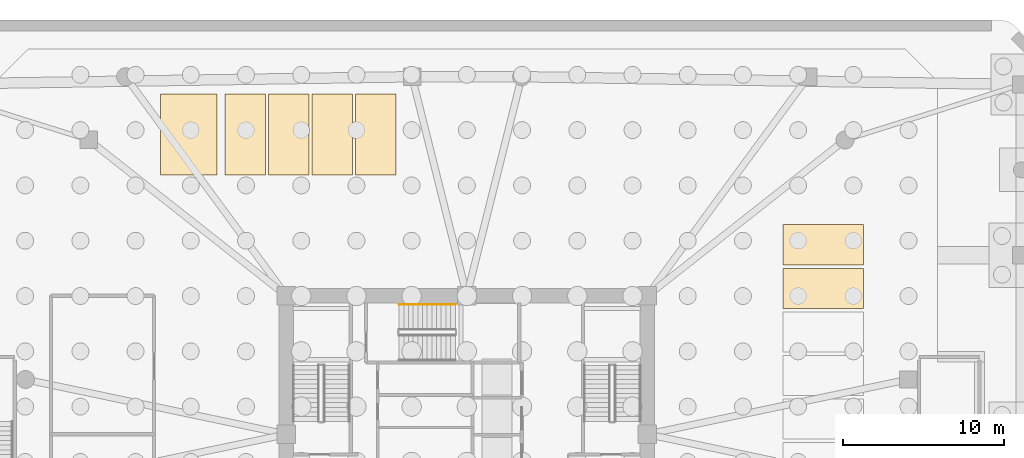
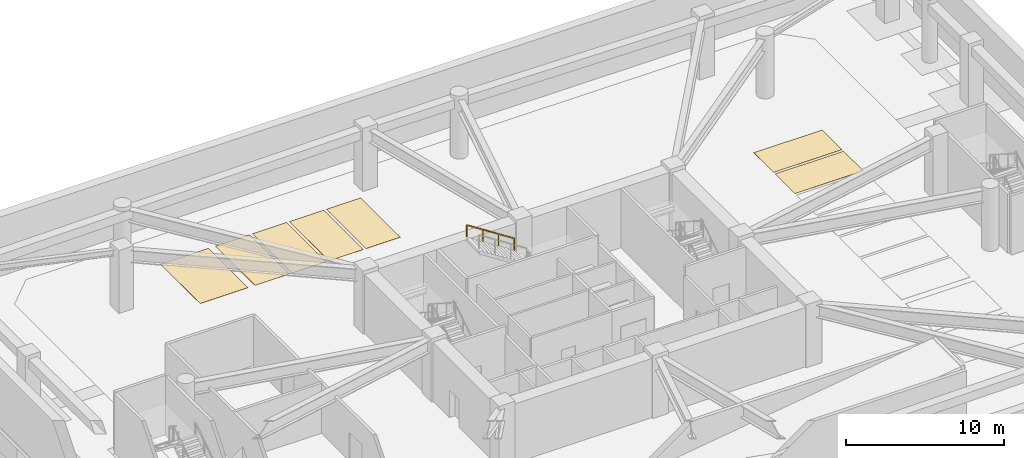
# One storey, part 9 of 11: 7 coverings, 1 railing.
"""IFC4 building model written with IfcOpenShell, lengths in metres."""

import ifcopenshell
import ifcopenshell.guid

model = None  # the IFC model being written
_history = None  # IfcOwnerHistory: only IFC2X3 demands one
_inside = {}  # id of a spatial element -> (the spatial element, [elements in it])
_under = {}  # id of a project, library or spatial element -> (it, [spatial elements below it])
_declared = {}  # id of a project -> (the project, [libraries it declares])
_typed = {}  # id of a type object -> (the type object, [elements of that type])
_made_of = {}  # id of a material, layer set ... -> (it, [elements and type objects made of it])


def new_model(schema):
    """Start an empty IFC model of exactly this schema.

    Asked for "IFC4X3", IfcOpenShell would pick the latest addendum, in which some entities
    have other attributes; the version numbers below select the first issue.
    IFC2X3 requires an IfcOwnerHistory on every rooted entity: one is made here for all.
    """
    global model, _history
    if schema == "IFC4X3":
        model = ifcopenshell.file(schema_version=(4, 3, 0, 0))
    else:
        model = ifcopenshell.file(schema=schema)
    _inside.clear()
    _under.clear()
    _declared.clear()
    _typed.clear()
    _made_of.clear()
    _history = None
    if model.schema == "IFC2X3":
        org = make("IfcOrganization", Name="unknown")
        user = make(
            "IfcPersonAndOrganization",
            ThePerson=make("IfcPerson", FamilyName="unknown"),
            TheOrganization=org,
        )
        app = make(
            "IfcApplication",
            ApplicationDeveloper=org,
            Version="unknown",
            ApplicationFullName="unknown",
            ApplicationIdentifier="unknown",
        )
        _history = make(
            "IfcOwnerHistory",
            OwningUser=user,
            OwningApplication=app,
            ChangeAction="ADDED",
            CreationDate=0,
        )
    return model


def make(cls, **values):
    """One entity of the class cls with the attributes given. An attribute that is None is left unset."""
    return model.create_entity(
        cls, **{name: value for name, value in values.items() if value is not None}
    )


def rooted(cls, **values):
    """An entity with a GlobalId (a new one), such as an element, a storey or a relation."""
    return make(cls, GlobalId=ifcopenshell.guid.new(), OwnerHistory=_history, **values)


def si_unit(unit_type, name, prefix=None):
    """IfcSIUnit, for example si_unit("LENGTHUNIT", "METRE", prefix="MILLI")."""
    return make("IfcSIUnit", UnitType=unit_type, Prefix=prefix, Name=name)


def derived_unit(unit_type, elements):
    """IfcDerivedUnit: a product of units, each with its exponent."""
    return make(
        "IfcDerivedUnit",
        Elements=[
            make("IfcDerivedUnitElement", Unit=unit, Exponent=power)
            for unit, power in elements
        ],
        UnitType=unit_type,
    )


def assignment(units):
    """IfcUnitAssignment: the units of a project."""
    return None if units is None else make("IfcUnitAssignment", Units=units)


def point(xyz):
    """IfcCartesianPoint."""
    return None if xyz is None else make("IfcCartesianPoint", Coordinates=xyz)


def direction(xyz):
    """IfcDirection."""
    return None if xyz is None else make("IfcDirection", DirectionRatios=xyz)


def frame(location, z_axis=None, x_axis=None):
    """IfcAxis2Placement3D, a coordinate frame: its origin and axes. An axis left out is left unset."""
    return make(
        "IfcAxis2Placement3D",
        Location=point(location),
        Axis=direction(z_axis),
        RefDirection=direction(x_axis),
    )


def frame_2d(location, x_axis=None):
    """IfcAxis2Placement2D, a coordinate frame in the plane: its origin and x axis."""
    return make(
        "IfcAxis2Placement2D", Location=point(location), RefDirection=direction(x_axis)
    )


def origin():
    """The frame at (0, 0, 0) with its axes left unset."""
    return frame((0.0, 0.0, 0.0))


def origin_2d():
    """The frame at (0, 0) in the plane with its x axis left unset."""
    return frame_2d((0.0, 0.0))


def place(relative_to, where):
    """IfcLocalPlacement: puts the frame where relative to a parent placement (None: the world)."""
    return make(
        "IfcLocalPlacement", PlacementRelTo=relative_to, RelativePlacement=where
    )


def context(
    kind, dimensions, precision=None, world=None, true_north=None, identifier=None
):
    """IfcGeometricRepresentationContext, for example the 3D "Model" context."""
    return make(
        "IfcGeometricRepresentationContext",
        ContextIdentifier=identifier,
        ContextType=kind,
        CoordinateSpaceDimension=dimensions,
        Precision=precision,
        WorldCoordinateSystem=world,
        TrueNorth=true_north,
    )


def subcontext(parent, identifier, kind, view, scale=None):
    """IfcGeometricRepresentationSubContext, for example "Body" below "Model"."""
    return make(
        "IfcGeometricRepresentationSubContext",
        ContextIdentifier=identifier,
        ContextType=kind,
        ParentContext=parent,
        TargetScale=scale,
        TargetView=view,
    )


def project(units=None, contexts=None):
    """IfcProject with its units and contexts."""
    return rooted(
        "IfcProject",
        Name="project",
        RepresentationContexts=contexts,
        UnitsInContext=assignment(units),
    )


def spatial(cls, under=None, at=None, **own):
    """A site, building, storey or space (cls), placed at a placement, below another one or the project."""
    s = rooted(cls, ObjectPlacement=at, **own)
    if under is not None:
        _under.setdefault(under.id(), (under, []))[1].append(s)
    return s


def polyline(points):
    """IfcPolyline through the points."""
    return make("IfcPolyline", Points=[point(p) for p in points])


def profile(cls, at=None, kind="AREA", **sizes):
    """A parametric profile (cls). Its sizes go by their IFC names, for example OverallWidth=200.0."""
    return make(cls, ProfileType=kind, Position=at, **sizes)


def rectangle(**sizes):
    """IfcRectangleProfileDef."""
    return profile("IfcRectangleProfileDef", **sizes)


def outline(outer, holes=None, kind="AREA"):
    """IfcArbitraryClosedProfileDef: a profile drawn as a closed curve; with holes, ...WithVoids."""
    if holes is None:
        return make("IfcArbitraryClosedProfileDef", ProfileType=kind, OuterCurve=outer)
    return make(
        "IfcArbitraryProfileDefWithVoids",
        ProfileType=kind,
        OuterCurve=outer,
        InnerCurves=holes,
    )


def extrude(swept, where, along, depth):
    """IfcExtrudedAreaSolid: the profile swept, set in the frame where, extruded along a direction by depth."""
    return make(
        "IfcExtrudedAreaSolid",
        SweptArea=swept,
        Position=where,
        ExtrudedDirection=direction(along),
        Depth=depth,
    )


def shape(context_of_items, identifier, shape_type, items):
    """IfcShapeRepresentation: the items that make up one representation, for example the "Body"."""
    return make(
        "IfcShapeRepresentation",
        ContextOfItems=context_of_items,
        RepresentationIdentifier=identifier,
        RepresentationType=shape_type,
        Items=items,
    )


def material(Name=None, Category=None):
    """IfcMaterial."""
    return make("IfcMaterial", Name=Name, Category=Category)


def layer(
    of_material, thickness, ventilated=None, Name=None, Category=None, Priority=None
):
    """IfcMaterialLayer: one layer of a wall or slab, of a material (None: an air gap)."""
    return make(
        "IfcMaterialLayer",
        Material=of_material,
        LayerThickness=thickness,
        IsVentilated=ventilated,
        Name=Name,
        Category=Category,
        Priority=Priority,
    )


def layer_set(layers, Name=None):
    """IfcMaterialLayerSet."""
    return make("IfcMaterialLayerSet", MaterialLayers=layers, LayerSetName=Name)


def made_of(thing, what):
    """Note that an element or type object is made of a material, layer set ...; save() writes the relation."""
    if what is not None:
        _made_of.setdefault(what.id(), (what, []))[1].append(thing)
    return thing


def type_object(cls, material=None, **own):
    """A type object (cls), such as IfcWallType, which elements share."""
    return made_of(rooted(cls, **own), material)


def element(
    cls,
    number,
    at=None,
    inside=None,
    cuts=None,
    type_object=None,
    material=None,
    context=None,
    identifier="Body",
    shape_type=None,
    held_by="IfcProductDefinitionShape",
    body=None,
    shapes=None,
    **own,
):
    """One element of the class cls, such as IfcWall. Its Tag is "e" and its number.

    at: its placement. inside: the storey or other place that contains it. cuts: it is an
    opening in that element (IfcRelVoidsElement). A single representation is given by context,
    identifier, shape_type and body (its items); several are given by shapes. held_by: the class
    of the entity that holds the representations. save() writes the other relations.
    """
    e = rooted(cls, Tag="e%d" % number, ObjectPlacement=at, **own)
    if body is not None:
        shapes = [shape(context, identifier, shape_type, body)]
    if shapes is not None:
        e.Representation = make(held_by, Representations=shapes)
    if inside is not None:
        _inside.setdefault(inside.id(), (inside, []))[1].append(e)
    if cuts is not None:
        rooted(
            "IfcRelVoidsElement", RelatingBuildingElement=cuts, RelatedOpeningElement=e
        )
    if type_object is not None:
        _typed.setdefault(type_object.id(), (type_object, []))[1].append(e)
    return made_of(e, material)


def aggregate(whole, parts):
    """IfcRelAggregates: a whole, such as a stair, and the parts it consists of."""
    return rooted("IfcRelAggregates", RelatingObject=whole, RelatedObjects=parts)


def save(model, path):
    """Write the relations noted so far, then the file.

    IfcRelAggregates (storeys below a building ...), IfcRelContainedInSpatialStructure (elements
    in a storey), IfcRelDefinesByType, IfcRelAssociatesMaterial and IfcRelDeclares: one each for
    every whole, place, type object, material and project.
    """
    for whole, parts in _under.values():
        aggregate(whole, parts)
    for where, things in _inside.values():
        rooted(
            "IfcRelContainedInSpatialStructure",
            RelatedElements=things,
            RelatingStructure=where,
        )
    for kind, things in _typed.values():
        rooted("IfcRelDefinesByType", RelatedObjects=things, RelatingType=kind)
    for what, things in _made_of.values():
        rooted("IfcRelAssociatesMaterial", RelatedObjects=things, RelatingMaterial=what)
    for by, libraries in _declared.values():
        rooted("IfcRelDeclares", RelatingContext=by, RelatedDefinitions=libraries)
    model.write(path)


model = new_model("IFC4")

# Units and contexts
model_context = context("Model", 3, precision=1e-05, world=origin(), true_north=direction((0.0, 1.0)))
body_context = subcontext(model_context, "Body", "Model", "MODEL_VIEW")
ifc_project = project(units=[si_unit("LENGTHUNIT", "METRE"), si_unit("AREAUNIT", "SQUARE_METRE"), si_unit("VOLUMEUNIT", "CUBIC_METRE"), si_unit("PLANEANGLEUNIT", "RADIAN"), si_unit("MASSUNIT", "GRAM", prefix="KILO"), derived_unit("THERMALTRANSMITTANCEUNIT", [(si_unit("POWERUNIT", "WATT"), 1), (si_unit("LENGTHUNIT", "METRE"), -2), (si_unit("THERMODYNAMICTEMPERATUREUNIT", "KELVIN"), -1)])], contexts=[model_context])

# Site, building, storey
site_placement = place(None, origin())
site = spatial("IfcSite", under=ifc_project, at=site_placement, CompositionType="ELEMENT")
building_placement = place(site_placement, origin())
building = spatial("IfcBuilding", under=site, at=building_placement, Name="Koralith Skygarden Medical Center", CompositionType="ELEMENT")
storey_placement = place(building_placement, frame((0.0, 0.0, -9.719970703125)))
storey = spatial("IfcBuildingStorey", under=building, at=storey_placement, Name="B2", CompositionType="ELEMENT", Elevation=-9.719970703125)

# Covering
ifc_material_1 = material(Name="Medical Terrazzo Flooring")
ifc_layer_1 = layer(ifc_material_1, 0.008056640625)
ifc_layer_set_1 = layer_set([ifc_layer_1], Name="Medical Terrazzo Flooring")
covering_type_1 = type_object("IfcCoveringType", Name="Accessible Van Parking Bay Marking 3500x5000", PredefinedType="FLOORING", material=ifc_layer_set_1)
covering_1_placement = place(storey_placement, origin())
element("IfcCovering", 1, at=covering_1_placement, inside=storey, type_object=covering_type_1, Name="B2 Accessible Parking Bay A-03", PredefinedType="FLOORING", context=body_context, shape_type="SweptSolid", body=[
    extrude(outline(polyline([(18.0, 42.0), (21.5, 42.0), (21.5, 47.0), (18.0, 47.0), (18.0, 42.0)])), origin(), (0.0, 0.0, 1.0), 0.008056640625),
])

# Railing
ifc_material_2 = material(Name="Steel ASTM A500 Grade C", Category="steel")
railing_type = type_object("IfcRailingType", Name="Stair Flight Tubular Handrail 920", PredefinedType="HANDRAIL", material=ifc_material_2)
railing_placement = place(storey_placement, frame((36.280029296875, 33.949951171875, 2.616943359375)))
element("IfcRailing", 2, at=railing_placement, inside=storey, type_object=railing_type, Name="B2 ST3 stair handrail 2", PredefinedType="HANDRAIL", context=body_context, shape_type="SweptSolid", body=[
    extrude(rectangle(XDim=0.050048828125, YDim=0.050048828125, at=origin_2d()), frame((-0.001708984375, 0.0, 0.89599609375), z_axis=(-0.840541796355, 0.0, 0.541746701495), x_axis=(0.0, -1.0, 0.0)), (0.0, 0.0, 1.0), 4.13623046875),
    extrude(rectangle(XDim=0.0419921875, YDim=0.0419921875, at=origin_2d()), origin(), (0.0, 0.0, 1.0), 0.867919921875),
    extrude(rectangle(XDim=0.0419921875, YDim=0.0419921875, at=origin_2d()), frame((-1.159912109375, 0.0, 0.74755859375)), (0.0, 0.0, 1.0), 0.867919921875),
    extrude(rectangle(XDim=0.0419921875, YDim=0.0419921875, at=origin_2d()), frame((-2.320068359375, 0.0, 1.495361328125)), (0.0, 0.0, 1.0), 0.867919921875),
    extrude(rectangle(XDim=0.0419921875, YDim=0.0419921875, at=origin_2d()), frame((-3.47998046875, 0.0, 2.242919921875)), (0.0, 0.0, 1.0), 0.867919921875),
])

# Coverings
ifc_layer_2 = layer(ifc_material_1, 0.008056640625)
ifc_layer_set_2 = layer_set([ifc_layer_2], Name="Medical Terrazzo Flooring")
covering_type_2 = type_object("IfcCoveringType", Name="Standard Car Park Bay Marking 2500x5000", PredefinedType="FLOORING", material=ifc_layer_set_2)
covering_2_placement = place(storey_placement, origin())
element("IfcCovering", 3, at=covering_2_placement, inside=storey, type_object=covering_type_2, Name="B2 Standard Parking Bay P-06", PredefinedType="FLOORING", context=body_context, shape_type="SweptSolid", body=[
    extrude(outline(polyline([(56.60009765625, 33.699951171875), (61.60009765625, 33.699951171875), (61.60009765625, 36.199951171875), (56.60009765625, 36.199951171875), (56.60009765625, 33.699951171875)])), origin(), (0.0, 0.0, 1.0), 0.008056640625),
])
covering_3_placement = place(storey_placement, origin())
element("IfcCovering", 4, at=covering_3_placement, inside=storey, type_object=covering_type_2, Name="B2 Standard Parking Bay P-07", PredefinedType="FLOORING", context=body_context, shape_type="SweptSolid", body=[
    extrude(outline(polyline([(56.60009765625, 36.39990234375), (61.60009765625, 36.39990234375), (61.60009765625, 38.89990234375), (56.60009765625, 38.89990234375), (56.60009765625, 36.39990234375)])), origin(), (0.0, 0.0, 1.0), 0.008056640625),
])
covering_4_placement = place(storey_placement, origin())
element("IfcCovering", 5, at=covering_4_placement, inside=storey, type_object=covering_type_2, Name="B2 Standard Parking Bay P-08", PredefinedType="FLOORING", context=body_context, shape_type="SweptSolid", body=[
    extrude(outline(polyline([(22.0, 42.0), (24.5, 42.0), (24.5, 47.0), (22.0, 47.0), (22.0, 42.0)])), origin(), (0.0, 0.0, 1.0), 0.008056640625),
])
covering_5_placement = place(storey_placement, origin())
element("IfcCovering", 6, at=covering_5_placement, inside=storey, type_object=covering_type_2, Name="B2 Standard Parking Bay P-09", PredefinedType="FLOORING", context=body_context, shape_type="SweptSolid", body=[
    extrude(outline(polyline([(24.699951171875, 42.0), (27.199951171875, 42.0), (27.199951171875, 47.0), (24.699951171875, 47.0), (24.699951171875, 42.0)])), origin(), (0.0, 0.0, 1.0), 0.008056640625),
])
covering_6_placement = place(storey_placement, origin())
element("IfcCovering", 7, at=covering_6_placement, inside=storey, type_object=covering_type_2, Name="B2 Standard Parking Bay P-10", PredefinedType="FLOORING", context=body_context, shape_type="SweptSolid", body=[
    extrude(outline(polyline([(27.39990234375, 42.0), (29.89990234375, 42.0), (29.89990234375, 47.0), (27.39990234375, 47.0), (27.39990234375, 42.0)])), origin(), (0.0, 0.0, 1.0), 0.008056640625),
])
covering_7_placement = place(storey_placement, origin())
element("IfcCovering", 8, at=covering_7_placement, inside=storey, type_object=covering_type_2, Name="B2 Standard Parking Bay P-11", PredefinedType="FLOORING", context=body_context, shape_type="SweptSolid", body=[
    extrude(outline(polyline([(30.10009765625, 42.0), (32.60009765625, 42.0), (32.60009765625, 47.0), (30.10009765625, 47.0), (30.10009765625, 42.0)])), origin(), (0.0, 0.0, 1.0), 0.008056640625),
])

save(model, "model.ifc")
